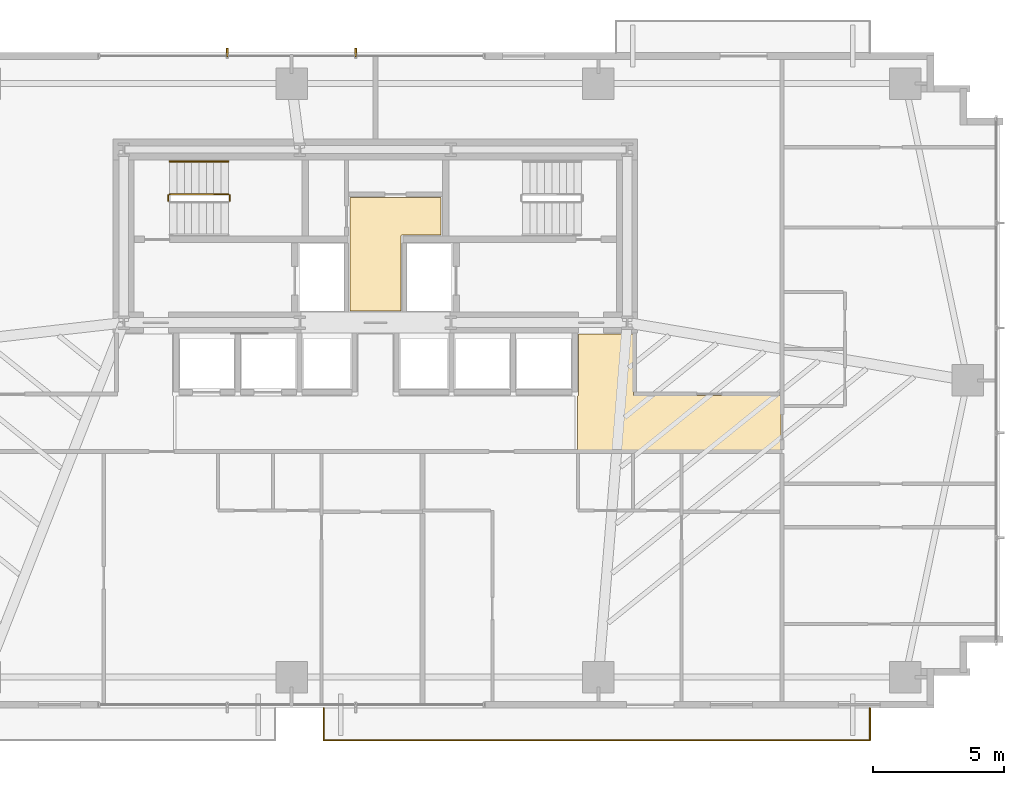
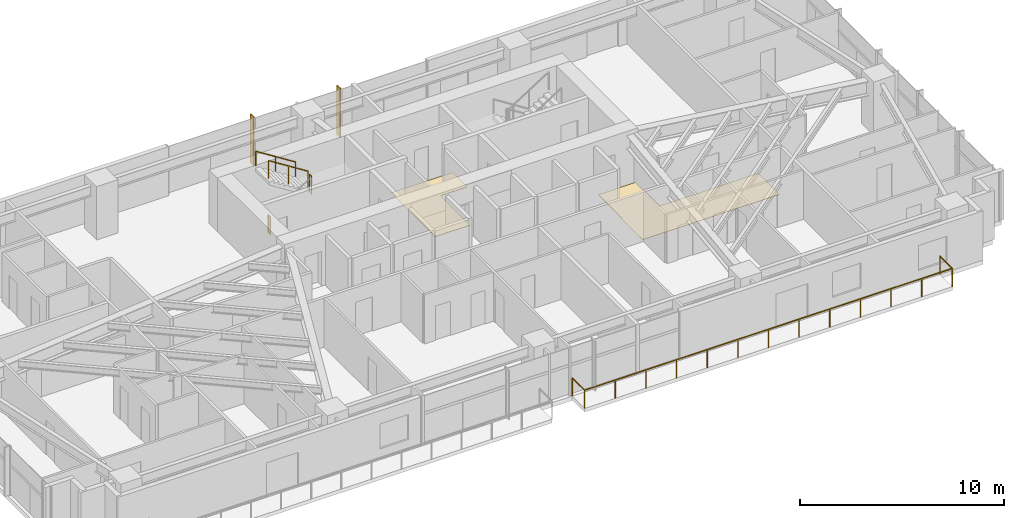
# One storey, part 24 of 25: 5 railings, 2 coverings, 2 shading devices.
"""IFC4 building model written with IfcOpenShell, lengths in metres."""

from ifc_helpers import new_model, si_unit, direction, frame, origin, origin_2d, place, context, subcontext, project, spatial, polyline, rectangle, outline, extrude, source, transform, mapped, material, layer, layer_set, type_object, type_shapes, element, save


model = new_model("IFC4")

# Units and contexts
model_context = context("Model", 3, precision=1e-05, world=origin(), true_north=direction((0.0, 1.0)))
body_context = subcontext(model_context, "Body", "Model", "MODEL_VIEW")
ifc_project = project(units=[si_unit("LENGTHUNIT", "METRE"), si_unit("AREAUNIT", "SQUARE_METRE"), si_unit("VOLUMEUNIT", "CUBIC_METRE"), si_unit("PLANEANGLEUNIT", "RADIAN"), si_unit("MASSUNIT", "GRAM", prefix="KILO")], contexts=[model_context])

# Site, building, storey
site_placement = place(None, origin())
site = spatial("IfcSite", under=ifc_project, at=site_placement, CompositionType="ELEMENT")
building_placement = place(site_placement, origin())
building = spatial("IfcBuilding", under=site, at=building_placement, Name="Astriad Promenade Condominiums", CompositionType="ELEMENT")
storey_placement = place(building_placement, frame((0.0, 0.0, 35.800048828125)))
storey = spatial("IfcBuildingStorey", under=building, at=storey_placement, Name="L09", CompositionType="ELEMENT", Elevation=35.800048828125)

# Coverings
ifc_material_1 = material(Name="Polished Lakefront Terrazzo Flooring")
ifc_layer = layer(ifc_material_1, 0.02001953125)
ifc_layer_set = layer_set([ifc_layer], Name="Polished Lakefront Terrazzo Flooring")
covering_type = type_object("IfcCoveringType", Name="COV-FLOR-TERRAZZO-20", PredefinedType="FLOORING", material=ifc_layer_set)
covering_1_placement = place(storey_placement, origin())
element("IfcCovering", 1, at=covering_1_placement, inside=storey, type_object=covering_type, Name="FLR-L09-CSL", PredefinedType="FLOORING", context=body_context, shape_type="SweptSolid", body=[
    extrude(outline(polyline([(36.97998046875, 20.699951171875), (36.97998046875, 17.840087890625), (35.02001953125, 17.840087890625), (35.02001953125, 22.179931640625), (38.5, 22.179931640625), (38.5, 20.739990234375), (37.02001953125, 20.739990234375), (37.01611328125, 20.73974609375), (37.01220703125, 20.7392578125), (37.00830078125, 20.73828125), (37.004638671875, 20.737060546875), (37.001220703125, 20.7353515625), (36.997802734375, 20.7333984375), (36.99462890625, 20.73095703125), (36.99169921875, 20.728271484375), (36.989013671875, 20.725341796875), (36.98681640625, 20.72216796875), (36.984619140625, 20.718994140625), (36.98291015625, 20.71533203125), (36.981689453125, 20.711669921875), (36.980712890625, 20.707763671875), (36.980224609375, 20.703857421875), (36.97998046875, 20.699951171875)])), origin(), (0.0, 0.0, 1.0), 0.02001953125),
])
covering_2_placement = place(storey_placement, origin())
element("IfcCovering", 2, at=covering_2_placement, inside=storey, type_object=covering_type, Name="FLR-L09-COR-1", PredefinedType="FLOORING", context=body_context, shape_type="SweptSolid", body=[
    extrude(outline(polyline([(43.699951171875, 12.530029296875), (43.699951171875, 14.610107421875), (43.703857421875, 14.610107421875), (43.707763671875, 14.61083984375), (43.711669921875, 14.61181640625), (43.71533203125, 14.613037109375), (43.718994140625, 14.61474609375), (43.72216796875, 14.61669921875), (43.725341796875, 14.619140625), (43.728271484375, 14.62158203125), (43.73095703125, 14.62451171875), (43.7333984375, 14.627685546875), (43.7353515625, 14.631103515625), (43.737060546875, 14.634765625), (43.73828125, 14.638427734375), (43.7392578125, 14.64208984375), (43.73974609375, 14.64599609375), (43.739990234375, 14.64990234375), (43.739990234375, 16.9599609375), (45.840087890625, 16.9599609375), (45.840087890625, 14.659912109375), (45.840087890625, 14.656005859375), (45.8408203125, 14.652099609375), (45.841796875, 14.6484375), (45.843017578125, 14.644775390625), (45.8447265625, 14.64111328125), (45.8466796875, 14.6376953125), (45.84912109375, 14.634521484375), (45.851806640625, 14.631591796875), (45.8544921875, 14.629150390625), (45.85791015625, 14.626708984375), (45.861083984375, 14.624755859375), (45.86474609375, 14.623046875), (45.868408203125, 14.62158203125), (45.872314453125, 14.620849609375), (45.876220703125, 14.6201171875), (45.8798828125, 14.6201171875), (51.4599609375, 14.6201171875), (51.4599609375, 12.530029296875), (43.699951171875, 12.530029296875)])), origin(), (0.0, 0.0, 1.0), 0.02001953125),
])

# Shading devices
ifc_material_2 = material(Name="Anodised aluminium 6063-T6 Black Fin", Category="aluminium")
shading_device_type = type_object("IfcShadingDeviceType", Name="FIN-BLACK-320", PredefinedType="USERDEFINED", material=ifc_material_2)
shared_shape_1 = source(origin(), body_context, "Body", "SweptSolid", [
    extrude(rectangle(XDim=0.06494140625, YDim=0.320068359375, at=origin_2d()), origin(), (0.0, 0.0, 1.0), 2.93994140625),
])
type_shapes(shading_device_type, [shared_shape_1])
for number, where, z_axis, x_axis, name in (
    (3, (30.35009765625, 27.7099609375, 0.0), (0.0, 0.0, 1.0), (1.0, 0.0, 0.0), "CW-L09-N-FIN-01"),
    (4, (35.25, 27.7099609375, 0.0), (0.0, 0.0, 1.0), (1.0, 0.0, 0.0), "CW-L09-N-FIN-02"),
):
    element("IfcShadingDevice", number, at=place(storey_placement, frame(where, z_axis=z_axis, x_axis=x_axis)), inside=storey, type_object=shading_device_type, Name=name, ObjectType="FIN", PredefinedType="USERDEFINED", context=body_context, shape_type="MappedRepresentation", body=[
        mapped(shared_shape_1, transform((0.0, 0.0, 0.0), scale=1.0)),
    ])

# Railings
ifc_material_3 = material(Name="Laminated Glass and Stainless Steel Balustrade", Category="steel")
railing_type_1 = type_object("IfcRailingType", Name="GRD-BALC-1120", PredefinedType="BALUSTRADE", material=ifc_material_3)
shared_shape_2 = source(origin(), body_context, "Body", "SweptSolid", [
    extrude(rectangle(XDim=0.048095703125, YDim=0.048095703125, at=origin_2d()), frame((0.0, 0.0, 1.09619140625), z_axis=(0.0, -1.0, 0.0), x_axis=(1.0, 0.0, 0.0)), (0.0, 0.0, 1.0), 1.219970703125),
    extrude(rectangle(XDim=0.048095703125, YDim=0.048095703125, at=origin_2d()), frame((0.0, -1.219970703125, 1.09619140625), z_axis=(1.0, 0.0, 0.0), x_axis=(0.0, 1.0, 0.0)), (0.0, 0.0, 1.0), 20.823974609375),
    extrude(rectangle(XDim=0.048095703125, YDim=0.048095703125, at=origin_2d()), frame((20.823974609375, -1.219970703125, 1.09619140625), z_axis=(0.0, 1.0, 0.0), x_axis=(-1.0, 0.0, 0.0)), (0.0, 0.0, 1.0), 1.219970703125),
    extrude(rectangle(XDim=0.0419921875, YDim=0.0419921875, at=origin_2d()), origin(), (0.0, 0.0, 1.0), 1.072021484375),
    extrude(rectangle(XDim=0.0419921875, YDim=0.0419921875, at=origin_2d()), frame((0.0, -1.219970703125, 0.0)), (0.0, 0.0, 1.0), 1.072021484375),
    extrude(rectangle(XDim=0.0419921875, YDim=0.0419921875, at=origin_2d()), frame((1.7353515625, -1.219970703125, 0.0)), (0.0, 0.0, 1.0), 1.072021484375),
    extrude(rectangle(XDim=0.0419921875, YDim=0.0419921875, at=origin_2d()), frame((3.470703125, -1.219970703125, 0.0)), (0.0, 0.0, 1.0), 1.072021484375),
    extrude(rectangle(XDim=0.0419921875, YDim=0.0419921875, at=origin_2d()), frame((5.2060546875, -1.219970703125, 0.0)), (0.0, 0.0, 1.0), 1.072021484375),
    extrude(rectangle(XDim=0.0419921875, YDim=0.0419921875, at=origin_2d()), frame((6.94140625, -1.219970703125, 0.0)), (0.0, 0.0, 1.0), 1.072021484375),
    extrude(rectangle(XDim=0.0419921875, YDim=0.0419921875, at=origin_2d()), frame((8.6767578125, -1.219970703125, 0.0)), (0.0, 0.0, 1.0), 1.072021484375),
    extrude(rectangle(XDim=0.0419921875, YDim=0.0419921875, at=origin_2d()), frame((10.412109375, -1.219970703125, 0.0)), (0.0, 0.0, 1.0), 1.072021484375),
    extrude(rectangle(XDim=0.0419921875, YDim=0.0419921875, at=origin_2d()), frame((12.147216796875, -1.219970703125, 0.0)), (0.0, 0.0, 1.0), 1.072021484375),
    extrude(rectangle(XDim=0.0419921875, YDim=0.0419921875, at=origin_2d()), frame((13.882568359375, -1.219970703125, 0.0)), (0.0, 0.0, 1.0), 1.072021484375),
    extrude(rectangle(XDim=0.0419921875, YDim=0.0419921875, at=origin_2d()), frame((15.617919921875, -1.219970703125, 0.0)), (0.0, 0.0, 1.0), 1.072021484375),
    extrude(rectangle(XDim=0.0419921875, YDim=0.0419921875, at=origin_2d()), frame((17.353271484375, -1.219970703125, 0.0)), (0.0, 0.0, 1.0), 1.072021484375),
    extrude(rectangle(XDim=0.0419921875, YDim=0.0419921875, at=origin_2d()), frame((19.088623046875, -1.219970703125, 0.0)), (0.0, 0.0, 1.0), 1.072021484375),
    extrude(rectangle(XDim=0.0419921875, YDim=0.0419921875, at=origin_2d()), frame((20.823974609375, -1.219970703125, 0.0)), (0.0, 0.0, 1.0), 1.072021484375),
    extrude(rectangle(XDim=0.0419921875, YDim=0.0419921875, at=origin_2d()), frame((20.823974609375, 0.0, 0.0)), (0.0, 0.0, 1.0), 1.072021484375),
])
type_shapes(railing_type_1, [shared_shape_2])
railing_1_placement = place(storey_placement, frame((34.031982421875, 2.699951171875, 0.0)))
element("IfcRailing", 5, at=railing_1_placement, inside=storey, type_object=railing_type_1, Name="GRD-BALC-L09-SE", PredefinedType="BALUSTRADE", context=body_context, shape_type="MappedRepresentation", body=[
    mapped(shared_shape_2, transform((0.0, 0.0, 0.0), scale=1.0)),
])
ifc_material_4 = material(Name="Painted Galvanised Steel Guardrail", Category="steel")
railing_type_2 = type_object("IfcRailingType", Name="GRD-STAIR-1100", PredefinedType="GUARDRAIL", material=ifc_material_4)
shared_shape_3 = source(origin(), body_context, "Body", "SweptSolid", [
    extrude(rectangle(XDim=0.048095703125, YDim=0.048095703125, at=origin_2d()), frame((0.0, 0.0, 1.076171875), z_axis=(0.0, 1.0, 0.0), x_axis=(-1.0, 0.0, 0.0)), (0.0, 0.0, 1.0), 0.199951171875),
    extrude(rectangle(XDim=0.0419921875, YDim=0.0419921875, at=origin_2d()), origin(), (0.0, 0.0, 1.0), 1.052001953125),
    extrude(rectangle(XDim=0.0419921875, YDim=0.0419921875, at=origin_2d()), frame((0.0, 0.199951171875, 0.0)), (0.0, 0.0, 1.0), 1.052001953125),
])
for number, where, name in (
    (6, (30.43994140625, 22.050048828125, 1.599853515625), "L09 ST-1 stair guard 2"),
    (7, (28.10009765625, 22.050048828125, 0.0), "L09 ST-1 stair guard 4"),
):
    element("IfcRailing", number, at=place(storey_placement, frame(where)), inside=storey, type_object=railing_type_2, Name=name, PredefinedType="GUARDRAIL", context=body_context, shape_type="MappedRepresentation", body=[
        mapped(shared_shape_3, transform((0.0, 0.0, 0.0), scale=1.0)),
    ])
shared_shape_4 = source(origin(), body_context, "Body", "SweptSolid", [
    extrude(rectangle(XDim=0.048095703125, YDim=0.048095703125, at=origin_2d()), frame((0.0, 0.0, 1.076171875), z_axis=(-0.8442293374, 0.0, 0.53598211339), x_axis=(0.0, -1.0, 0.0)), (0.0, 0.0, 1.0), 2.6533203125),
    extrude(rectangle(XDim=0.0419921875, YDim=0.0419921875, at=origin_2d()), origin(), (0.0, 0.0, 1.0), 1.052001953125),
    extrude(rectangle(XDim=0.0419921875, YDim=0.0419921875, at=origin_2d()), frame((-1.1201171875, 0.0, 0.7109375)), (0.0, 0.0, 1.0), 1.052001953125),
    extrude(rectangle(XDim=0.0419921875, YDim=0.0419921875, at=origin_2d()), frame((-2.239990234375, 0.0, 1.422119140625)), (0.0, 0.0, 1.0), 1.052001953125),
])
type_shapes(railing_type_2, [shared_shape_3, shared_shape_4])
railing_2_placement = place(storey_placement, frame((30.389892578125, 22.300048828125, 1.77783203125)))
element("IfcRailing", 8, at=railing_2_placement, inside=storey, type_object=railing_type_2, Name="L09 ST-1 stair guard 3", PredefinedType="GUARDRAIL", context=body_context, shape_type="MappedRepresentation", body=[
    mapped(shared_shape_4, transform((0.0, 0.0, 0.0), scale=1.0)),
])
ifc_material_5 = material(Name="Brushed Stainless Steel Handrail", Category="steel")
railing_type_3 = type_object("IfcRailingType", Name="HRL-STAIR-920", PredefinedType="HANDRAIL", material=ifc_material_5)
shared_shape_5 = source(origin(), body_context, "Body", "SweptSolid", [
    extrude(rectangle(XDim=0.048095703125, YDim=0.048095703125, at=origin_2d()), frame((0.0, 0.0, 0.8759765625), z_axis=(-0.8442293374, 0.0, 0.53598211339), x_axis=(0.0, -1.0, 0.0)), (0.0, 0.0, 1.0), 2.6533203125),
    extrude(rectangle(XDim=0.0419921875, YDim=0.0419921875, at=origin_2d()), origin(), (0.0, 0.0, 1.0), 0.851806640625),
    extrude(rectangle(XDim=0.0419921875, YDim=0.0419921875, at=origin_2d()), frame((-1.1201171875, 0.0, 0.7109375)), (0.0, 0.0, 1.0), 0.851806640625),
    extrude(rectangle(XDim=0.0419921875, YDim=0.0419921875, at=origin_2d()), frame((-2.239990234375, 0.0, 1.422119140625)), (0.0, 0.0, 1.0), 0.851806640625),
])
type_shapes(railing_type_3, [shared_shape_5])
railing_3_placement = place(storey_placement, frame((30.389892578125, 23.550048828125, 1.77783203125)))
element("IfcRailing", 9, at=railing_3_placement, inside=storey, type_object=railing_type_3, Name="L09 ST-1 stair handrail 2", PredefinedType="HANDRAIL", context=body_context, shape_type="MappedRepresentation", body=[
    mapped(shared_shape_5, transform((0.0, 0.0, 0.0), scale=1.0)),
])

save(model, "model.ifc")
